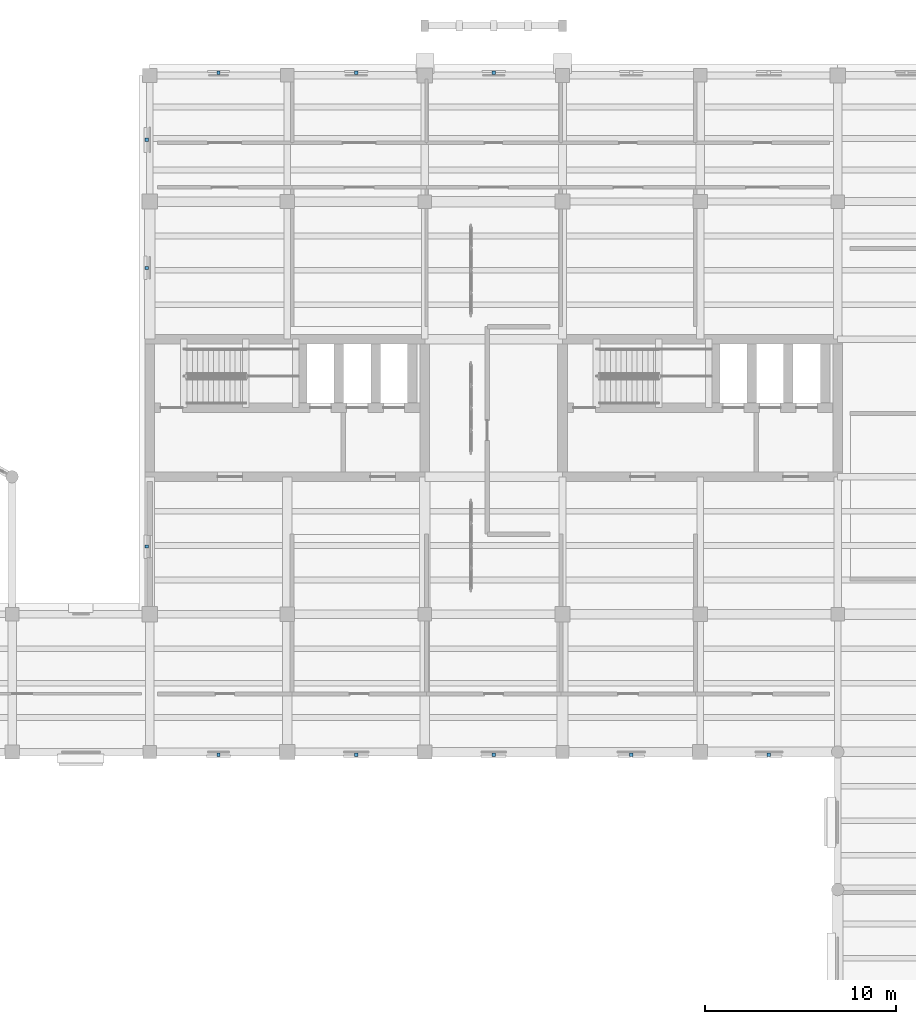
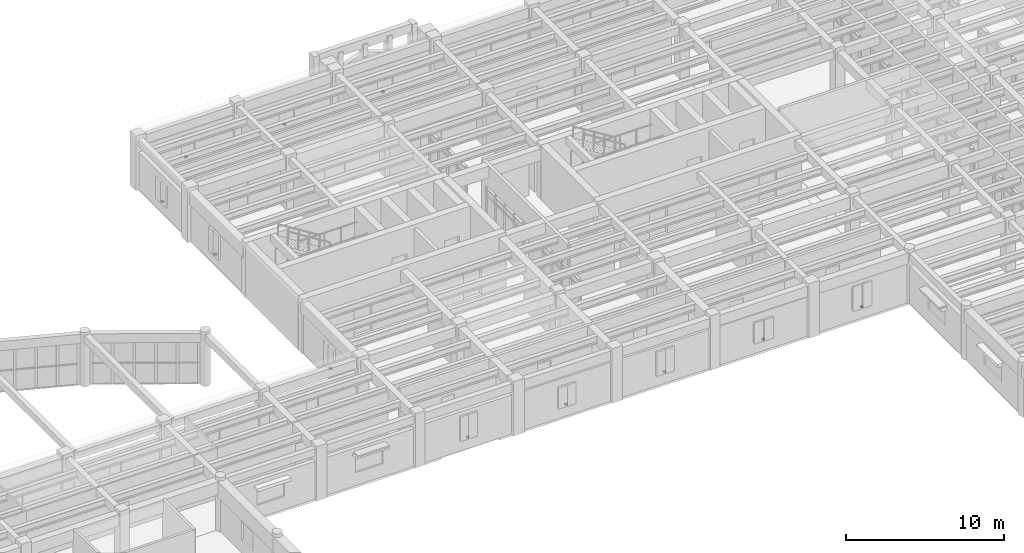
# One storey, part 64 of 76: 11 discrete accessories.
"""IFC4 building model written with IfcOpenShell, lengths in metres."""

from ifc_helpers import new_model, si_unit, direction, frame, origin, origin_2d, place, context, subcontext, project, spatial, rectangle, extrude, material, type_object, element, save


model = new_model("IFC4")

# Units and contexts
model_context = context("Model", 3, precision=1e-05, world=origin(), true_north=direction((0.0, 1.0)))
body_context = subcontext(model_context, "Body", "Model", "MODEL_VIEW")
ifc_project = project(units=[si_unit("LENGTHUNIT", "METRE"), si_unit("AREAUNIT", "SQUARE_METRE"), si_unit("VOLUMEUNIT", "CUBIC_METRE"), si_unit("PLANEANGLEUNIT", "RADIAN"), si_unit("MASSUNIT", "GRAM", prefix="KILO")], contexts=[model_context])

# Site, building, storey
site_placement = place(None, origin())
site = spatial("IfcSite", under=ifc_project, at=site_placement, CompositionType="ELEMENT")
building_placement = place(site_placement, origin())
building = spatial("IfcBuilding", under=site, at=building_placement, Name="Mithqara Police Headquarters", CompositionType="ELEMENT")
storey_placement = place(building_placement, frame((0.0, 0.0, 5.39990234375)))
storey = spatial("IfcBuildingStorey", under=building, at=storey_placement, Name="L01", CompositionType="ELEMENT", Elevation=5.39990234375)

# Discrete accessories
ifc_material = material(Name="Steel S355JR", Category="steel")
discrete_accessory_type = type_object("IfcDiscreteAccessoryType", Name="SCREEN BRACKET SS", PredefinedType="BRACKET", material=ifc_material)
for number, where, z_axis, x_axis, name in (
    (1, (112.199951171875, 114.14990234375, 0.85009765625), (0.0, 0.0, 1.0), (1.0, 0.0, 0.0), "L01 Stone Screen Support Bracket 10.1"),
    (2, (119.39990234375, 114.14990234375, 0.85009765625), (0.0, 0.0, 1.0), (1.0, 0.0, 0.0), "L01 Stone Screen Support Bracket 10.2"),
    (3, (126.60009765625, 114.14990234375, 0.85009765625), (0.0, 0.0, 1.0), (1.0, 0.0, 0.0), "L01 Stone Screen Support Bracket 10.3"),
    (4, (108.449951171875, 103.925048828125, 0.85009765625), (0.0, 0.0, 1.0), (0.0, 1.0, 0.0), "L01 Stone Screen Support Bracket 11.1"),
    (5, (108.449951171875, 110.625, 0.85009765625), (0.0, 0.0, 1.0), (0.0, 1.0, 0.0), "L01 Stone Screen Support Bracket 11.2"),
    (6, (108.449951171875, 89.35009765625, 0.85009765625), (0.0, 0.0, 1.0), (0.0, 1.0, 0.0), "L01 Stone Screen Support Bracket 11.1"),
    (7, (112.199951171875, 78.449951171875, 0.85009765625), (0.0, 0.0, 1.0), (1.0, 0.0, 0.0), "L01 Stone Screen Support Bracket 3.1"),
    (8, (119.39990234375, 78.449951171875, 0.85009765625), (0.0, 0.0, 1.0), (1.0, 0.0, 0.0), "L01 Stone Screen Support Bracket 3.2"),
    (9, (126.60009765625, 78.449951171875, 0.85009765625), (0.0, 0.0, 1.0), (1.0, 0.0, 0.0), "L01 Stone Screen Support Bracket 3.3"),
    (10, (133.800048828125, 78.449951171875, 0.85009765625), (0.0, 0.0, 1.0), (1.0, 0.0, 0.0), "L01 Stone Screen Support Bracket 3.4"),
    (11, (141.0, 78.449951171875, 0.85009765625), (0.0, 0.0, 1.0), (1.0, 0.0, 0.0), "L01 Stone Screen Support Bracket 3.5"),
):
    element("IfcDiscreteAccessory", number, at=place(storey_placement, frame(where, z_axis=z_axis, x_axis=x_axis)), inside=storey, type_object=discrete_accessory_type, Name=name, PredefinedType="BRACKET", context=body_context, shape_type="SweptSolid", body=[
        extrude(rectangle(XDim=0.179931640625, YDim=0.179931640625, at=origin_2d()), origin(), (0.0, 0.0, 1.0), 0.1201171875),
    ])

save(model, "model.ifc")
